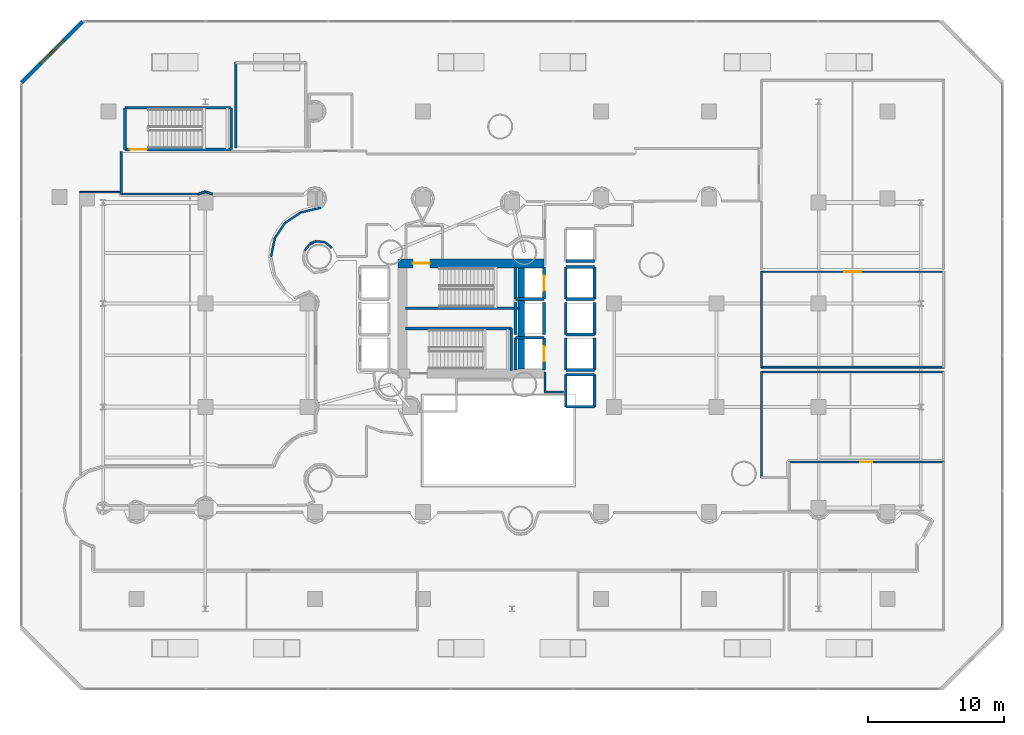
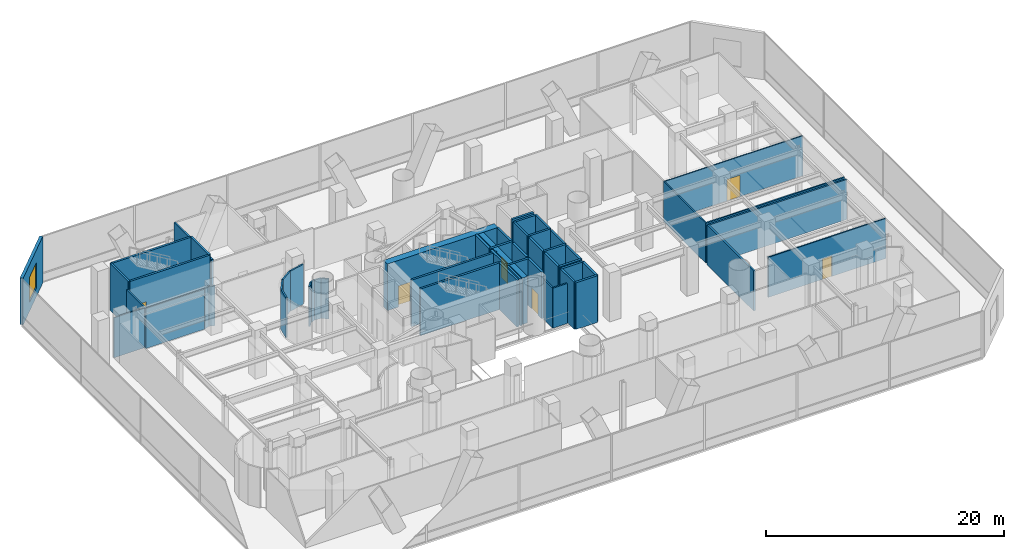
# One storey, part 33 of 42: 55 walls, 6 doors, 1 window, 7 openings.
"""IFC4 building model written with IfcOpenShell, lengths in metres."""

from ifc_helpers import new_model, si_unit, direction, frame, frame_2d, origin, place, context, subcontext, project, spatial, rectangle, extrude, material, layer, layer_set, type_object, element, fill, save


model = new_model("IFC4")

# Units and contexts
model_context = context("Model", 3, precision=1e-05, world=origin(), true_north=direction((0.0, 1.0)))
body_context = subcontext(model_context, "Body", "Model", "MODEL_VIEW")
ifc_project = project(units=[si_unit("LENGTHUNIT", "METRE"), si_unit("AREAUNIT", "SQUARE_METRE"), si_unit("VOLUMEUNIT", "CUBIC_METRE"), si_unit("PLANEANGLEUNIT", "RADIAN"), si_unit("MASSUNIT", "GRAM", prefix="KILO")], contexts=[model_context])

# Site, building, storey
site_placement = place(None, origin())
site = spatial("IfcSite", under=ifc_project, at=site_placement, CompositionType="ELEMENT")
building_placement = place(site_placement, origin())
building = spatial("IfcBuilding", under=site, at=building_placement, Name="Qianvela Tower", CompositionType="ELEMENT")
storey_placement = place(building_placement, frame((0.0, 0.0, 6.0)))
storey = spatial("IfcBuildingStorey", under=building, at=storey_placement, Name="L01", CompositionType="ELEMENT", Elevation=6.0)

# Wall, opening, window
ifc_material_1 = material(Name="Terracotta Cladding on Concrete C40", Category="masonry")
ifc_layer_1 = layer(ifc_material_1, 0.280029296875)
ifc_layer_set_1 = layer_set([ifc_layer_1], Name="Terracotta Cladding on Concrete C40")
wall_type_1 = type_object("IfcWallType", Name="TERRACOTTA-WALL-280", PredefinedType="SOLIDWALL", material=ifc_layer_set_1)
wall_1_placement = place(storey_placement, frame((6.0, 50.5, 0.0), z_axis=(0.0, 0.0, 1.0), x_axis=(-0.707106781187, -0.707106781187, 0.0)))
wall_1 = element("IfcWall", 1, at=wall_1_placement, inside=storey, type_object=wall_type_1, Name="L01 Terracotta Corner Wall 6", PredefinedType="SOLIDWALL", context=body_context, shape_type="SweptSolid", body=[
    extrude(rectangle(XDim=6.364013671875, YDim=0.280029296875, at=frame_2d((3.18212890625, 0.0))), origin(), (0.0, 0.0, 1.0), 4.780029296875),
])
opening_1_placement = place(wall_1_placement, frame((1.98193359375, 0.0, 0.89990234375)))
opening_1 = element("IfcOpeningElement", 2, at=opening_1_placement, cuts=wall_1, Name="Opening W-05", PredefinedType="OPENING", context=body_context, shape_type="SweptSolid", body=[
    extrude(rectangle(XDim=2.39990234375, YDim=2.60009765625, at=frame_2d((1.199951171875, 1.300048828125))), frame((0.0, 0.14990234375, 0.0), z_axis=(0.0, -1.0, 0.0), x_axis=(1.0, 0.0, 0.0)), (0.0, 0.0, 1.0), 0.300048828125),
])
ifc_material_2 = material(Name="Thermally Broken Aluminium and Low-E Glass", Category="aluminium")
window_type = type_object("IfcWindowType", Name="WIN-POD-2400x2600", PartitioningType="TRIPLE_PANEL_VERTICAL", PredefinedType="WINDOW", material=ifc_material_2)
window_placement = place(opening_1_placement, origin())
window = element("IfcWindow", 3, at=window_placement, inside=storey, type_object=window_type, Name="L01 Chamfer Facet Window 6.1", OverallHeight=2.60009765625, OverallWidth=2.39990234375, PartitioningType="SINGLE_PANEL", PredefinedType="WINDOW", context=body_context, shape_type="SweptSolid", body=[
    extrude(rectangle(XDim=2.39990234375, YDim=2.60009765625, at=frame_2d((1.199951171875, 1.300048828125))), frame((0.0, 0.030029296875, 0.0), z_axis=(0.0, -1.0, 0.0), x_axis=(1.0, 0.0, 0.0)), (0.0, 0.0, 1.0), 0.06005859375),
])
fill(opening_1, window)

# Wall, opening, door
ifc_material_3 = material(Name="Concrete C60", Category="concrete")
ifc_layer_2 = layer(ifc_material_3, 0.64990234375)
ifc_layer_set_2 = layer_set([ifc_layer_2], Name="Concrete C60")
wall_type_2 = type_object("IfcWallType", Name="WT-CORE-650", PredefinedType="SHEAR", material=ifc_layer_set_2)
wall_2_placement = place(storey_placement, frame((29.1298828125, 32.7451171875, 0.0), z_axis=(0.0, 0.0, 1.0), x_axis=(1.0, 0.0, 0.0)))
wall_2 = element("IfcWall", 4, at=wall_2_placement, inside=storey, type_object=wall_type_2, Name="L01 North Core Shear Wall", PredefinedType="SHEAR", context=body_context, shape_type="SweptSolid", body=[
    extrude(rectangle(XDim=10.72021484375, YDim=0.64990234375, at=frame_2d((5.360107421875, 0.0))), origin(), (0.0, 0.0, 1.0), 4.780029296875),
])
opening_2_placement = place(wall_2_placement, frame((1.094970703125, 0.0, 0.0)))
opening_2 = element("IfcOpeningElement", 5, at=opening_2_placement, cuts=wall_2, Name="Opening D-ST1", PredefinedType="OPENING", context=body_context, shape_type="SweptSolid", body=[
    extrude(rectangle(XDim=1.25, YDim=2.14990234375, at=frame_2d((0.625, 1.074951171875))), frame((0.0, 0.3349609375, 0.0), z_axis=(0.0, -1.0, 0.0), x_axis=(1.0, 0.0, 0.0)), (0.0, 0.0, 1.0), 0.669921875),
])
ifc_material_4 = material(Name="Galvanised Fire Steel Q355B", Category="steel")
door_type_1 = type_object("IfcDoorType", Name="DT-STAIR-FD90", OperationType="NOTDEFINED", PredefinedType="DOOR", material=ifc_material_4)
door_1_placement = place(opening_2_placement, origin())
door_1 = element("IfcDoor", 6, at=door_1_placement, inside=storey, type_object=door_type_1, Name="L01 Stair ST-1 Exit Door", OperationType="SINGLE_SWING_RIGHT", OverallHeight=2.14990234375, OverallWidth=1.25, PredefinedType="DOOR", context=body_context, shape_type="SweptSolid", body=[
    extrude(rectangle(XDim=1.25, YDim=2.14990234375, at=frame_2d((0.625, 1.074951171875))), frame((0.0, 0.02490234375, 0.0), z_axis=(0.0, -1.0, 0.0), x_axis=(1.0, 0.0, 0.0)), (0.0, 0.0, 1.0), 0.050048828125),
])
fill(opening_2, door_1)

# Walls
wall_3_placement = place(storey_placement, frame((38.179931640625, 24.97998046875, 0.0), z_axis=(0.0, 0.0, 1.0), x_axis=(0.0, 1.0, 0.0)))
element("IfcWall", 7, at=wall_3_placement, inside=storey, type_object=wall_type_2, Name="L01 East Spine Core Shear Wall", PredefinedType="SHEAR", context=body_context, shape_type="SweptSolid", body=[
    extrude(rectangle(XDim=7.43994140625, YDim=0.5, at=frame_2d((3.719970703125, 0.0))), origin(), (0.0, 0.0, 1.0), 4.780029296875),
])
ifc_material_5 = material(Name="Fire-Rated Acoustic Gypsum Board")
ifc_layer_3 = layer(ifc_material_5, 0.14990234375)
ifc_layer_set_3 = layer_set([ifc_layer_3], Name="Fire-Rated Acoustic Gypsum Board")
wall_type_3 = type_object("IfcWallType", Name="WT-CORR-150", PredefinedType="PARTITIONING", material=ifc_layer_set_3)
wall_4_placement = place(storey_placement, frame((41.280029296875, 23.31103515625, 0.0), z_axis=(0.0, 0.0, 1.0), x_axis=(-1.0, 0.0, 0.0)))
element("IfcWall", 8, at=wall_4_placement, inside=storey, type_object=wall_type_3, Name="L01 Partition 22", PredefinedType="PARTITIONING", context=body_context, shape_type="SweptSolid", body=[
    extrude(rectangle(XDim=1.400146484375, YDim=0.14990234375, at=frame_2d((0.7001953125, 0.0))), origin(), (0.0, 0.0, 1.0), 4.10009765625),
])
wall_5_placement = place(storey_placement, frame((39.910888671875, 23.27978515625, 0.0), z_axis=(0.0, 0.0, 1.0), x_axis=(0.009397771291, 0.999955839972, 0.0)))
element("IfcWall", 9, at=wall_5_placement, inside=storey, type_object=wall_type_3, Name="L01 Partition 23", PredefinedType="PARTITIONING", context=body_context, shape_type="SweptSolid", body=[
    extrude(rectangle(XDim=1.480712890625, YDim=0.14990234375, at=frame_2d((0.740234375, 0.0))), origin(), (0.0, 0.0, 1.0), 4.10009765625),
])
wall_6_placement = place(storey_placement, frame((19.818359375, 33.221923828125, 0.0), z_axis=(0.0, 0.0, 1.0), x_axis=(0.195099252282, 0.980783504021, 0.0)))
element("IfcWall", 10, at=wall_6_placement, inside=storey, type_object=wall_type_3, Name="L01 Partition 102", PredefinedType="PARTITIONING", context=body_context, shape_type="SweptSolid", body=[
    extrude(rectangle(XDim=1.38525390625, YDim=0.14990234375, at=frame_2d((0.692626953125, 0.0))), origin(), (0.0, 0.0, 1.0), 4.10009765625),
])
for number, where, z_axis, x_axis, name in (
    (11, (20.083984375, 34.5693359375, 0.0), (0.0, 0.0, 1.0), (0.555594771308, 0.831453215819, 0.0), "L01 Partition 103"),
    (12, (20.844970703125, 35.71240234375, 0.0), (0.0, 0.0, 1.0), (0.831453215819, 0.555594771308, 0.0), "L01 Partition 104"),
):
    element("IfcWall", number, at=place(storey_placement, frame(where, z_axis=z_axis, x_axis=x_axis)), inside=storey, type_object=wall_type_3, Name=name, PredefinedType="PARTITIONING", context=body_context, shape_type="SweptSolid", body=[
        extrude(rectangle(XDim=1.385009765625, YDim=0.14990234375, at=frame_2d((0.6923828125, 0.0))), origin(), (0.0, 0.0, 1.0), 4.10009765625),
    ])
wall_7_placement = place(storey_placement, frame((21.986572265625, 36.4775390625, 0.0), z_axis=(0.0, 0.0, 1.0), x_axis=(0.973304329118, 0.229518371641, 0.0)))
element("IfcWall", 13, at=wall_7_placement, inside=storey, type_object=wall_type_3, Name="L01 Partition 105", PredefinedType="PARTITIONING", context=body_context, shape_type="SweptSolid", body=[
    extrude(rectangle(XDim=1.533935546875, YDim=0.14990234375, at=frame_2d((0.76708984375, 0.0))), origin(), (0.0, 0.0, 1.0), 4.10009765625),
])
for number, where, z_axis, x_axis, name in (
    (14, (15.512939453125, 37.829345703125, 0.0), (0.0, 0.0, 1.0), (-0.947248188963, 0.320500964906, 0.0), "L01 Partition 111"),
    (15, (14.989990234375, 37.99951171875, 0.0), (0.0, 0.0, 1.0), (-0.947248188963, -0.320500964906, 0.0), "L01 Partition 112"),
):
    element("IfcWall", number, at=place(storey_placement, frame(where, z_axis=z_axis, x_axis=x_axis)), inside=storey, type_object=wall_type_3, Name=name, PredefinedType="PARTITIONING", context=body_context, shape_type="SweptSolid", body=[
        extrude(rectangle(XDim=0.531005859375, YDim=0.14990234375, at=frame_2d((0.265625, 0.0))), origin(), (0.0, 0.0, 1.0), 4.10009765625),
    ])
wall_8_placement = place(storey_placement, frame((14.496826171875, 37.8310546875, 0.0), z_axis=(0.0, 0.0, 1.0), x_axis=(-1.0, 0.0, 0.0)))
element("IfcWall", 16, at=wall_8_placement, inside=storey, type_object=wall_type_3, Name="L01 Partition 113", PredefinedType="PARTITIONING", context=body_context, shape_type="SweptSolid", body=[
    extrude(rectangle(XDim=5.69677734375, YDim=0.14990234375, at=frame_2d((2.848388671875, 0.0))), origin(), (0.0, 0.0, 1.0), 4.10009765625),
])
wall_9_placement = place(storey_placement, frame((8.8310546875, 37.800048828125, 0.0), z_axis=(0.0, 0.0, 1.0), x_axis=(0.0, 1.0, 0.0)))
element("IfcWall", 17, at=wall_9_placement, inside=storey, type_object=wall_type_3, Name="L01 Partition 114", PredefinedType="PARTITIONING", context=body_context, shape_type="SweptSolid", body=[
    extrude(rectangle(XDim=3.159912109375, YDim=0.14990234375, at=frame_2d((1.580078125, 0.0))), origin(), (0.0, 0.0, 1.0), 4.10009765625),
])
wall_10_placement = place(storey_placement, frame((24.288818359375, 33.874267578125, 0.0), z_axis=(0.0, 0.0, 1.0), x_axis=(-0.773002523958, 0.634402946048, 0.0)))
element("IfcWall", 18, at=wall_10_placement, inside=storey, type_object=wall_type_3, Name="L01 Partition 158", PredefinedType="PARTITIONING", context=body_context, shape_type="SweptSolid", body=[
    extrude(rectangle(XDim=0.64990234375, YDim=0.14990234375, at=frame_2d((0.324951171875, 0.0))), origin(), (0.0, 0.0, 1.0), 4.10009765625),
])
wall_11_placement = place(storey_placement, frame((23.76953125, 34.293701171875, 0.0), z_axis=(0.0, 0.0, 1.0), x_axis=(-0.995184807955, 0.098016315048, 0.0)))
element("IfcWall", 19, at=wall_11_placement, inside=storey, type_object=wall_type_3, Name="L01 Partition 159", PredefinedType="PARTITIONING", context=body_context, shape_type="SweptSolid", body=[
    extrude(rectangle(XDim=0.650146484375, YDim=0.14990234375, at=frame_2d((0.3251953125, 0.0))), origin(), (0.0, 0.0, 1.0), 4.10009765625),
])
wall_12_placement = place(storey_placement, frame((23.107666015625, 34.35498046875, 0.0), z_axis=(0.0, 0.0, 1.0), x_axis=(-0.924098490076, -0.382154393719, 0.0)))
element("IfcWall", 20, at=wall_12_placement, inside=storey, type_object=wall_type_3, Name="L01 Partition 160", PredefinedType="PARTITIONING", context=body_context, shape_type="SweptSolid", body=[
    extrude(rectangle(XDim=0.43701171875, YDim=0.14990234375, at=frame_2d((0.218505859375, 0.0))), origin(), (0.0, 0.0, 1.0), 4.10009765625),
])
wall_13_placement = place(storey_placement, frame((22.69189453125, 34.178955078125, 0.0), z_axis=(0.0, 0.0, 1.0), x_axis=(-0.634443165816, -0.772969513855, 0.0)))
element("IfcWall", 21, at=wall_13_placement, inside=storey, type_object=wall_type_3, Name="L01 Partition 161", PredefinedType="PARTITIONING", context=body_context, shape_type="SweptSolid", body=[
    extrude(rectangle(XDim=0.650390625, YDim=0.14990234375, at=frame_2d((0.3251953125, 0.0))), origin(), (0.0, 0.0, 1.0), 4.10009765625),
])

# Wall, opening, door
ifc_material_6 = material(Name="Lightweight Gypsum Room Partition")
ifc_layer_4 = layer(ifc_material_6, 0.10498046875)
ifc_layer_set_4 = layer_set([ifc_layer_4], Name="Lightweight Gypsum Room Partition")
wall_type_4 = type_object("IfcWallType", Name="WT-PART-105", PredefinedType="PARTITIONING", material=ifc_layer_set_4)
wall_14_placement = place(storey_placement, frame((55.780029296875, 32.12890625, 0.0), z_axis=(0.0, 0.0, 1.0), x_axis=(1.0, 0.0, 0.0)))
wall_14 = element("IfcWall", 22, at=wall_14_placement, inside=storey, type_object=wall_type_4, Name="L01 Partition 252", PredefinedType="PARTITIONING", context=body_context, shape_type="SweptSolid", body=[
    extrude(rectangle(XDim=13.419921875, YDim=0.10498046875, at=frame_2d((6.7099609375, 0.0))), origin(), (0.0, 0.0, 1.0), 4.10009765625),
])
opening_3_placement = place(wall_14_placement, frame((6.0849609375, 0.0, 0.0)))
opening_3 = element("IfcOpeningElement", 23, at=opening_3_placement, cuts=wall_14, Name="Opening D-LG1", PredefinedType="OPENING", context=body_context, shape_type="SweptSolid", body=[
    extrude(rectangle(XDim=1.25, YDim=2.199951171875, at=frame_2d((0.625, 1.10009765625))), frame((0.0, 0.0625, 0.0), z_axis=(0.0, -1.0, 0.0), x_axis=(1.0, 0.0, 0.0)), (0.0, 0.0, 1.0), 0.125),
])
ifc_material_7 = material(Name="Anodised Aluminium Acoustic Glass Door", Category="aluminium")
door_type_2 = type_object("IfcDoorType", Name="DT-LOUNGE-1250", OperationType="NOTDEFINED", PredefinedType="DOOR", material=ifc_material_7)
door_2_placement = place(opening_3_placement, origin())
door_2 = element("IfcDoor", 24, at=door_2_placement, inside=storey, type_object=door_type_2, Name="L01 Door L01 Commons Seminar Room East to L01 Academic Advising Office East", OperationType="SINGLE_SWING_RIGHT", OverallHeight=2.199951171875, OverallWidth=1.25, PredefinedType="DOOR", context=body_context, shape_type="SweptSolid", body=[
    extrude(rectangle(XDim=1.25, YDim=2.199951171875, at=frame_2d((0.625, 1.10009765625))), frame((0.0, 0.02490234375, 0.0), z_axis=(0.0, -1.0, 0.0), x_axis=(1.0, 0.0, 0.0)), (0.0, 0.0, 1.0), 0.050048828125),
])
fill(opening_3, door_2)

# Wall
wall_15_placement = place(storey_placement, frame((5.800048828125, 37.968994140625, 0.0), z_axis=(0.0, 0.0, 1.0), x_axis=(1.0, 0.0, 0.0)))
element("IfcWall", 25, at=wall_15_placement, inside=storey, type_object=wall_type_4, Name="L01 Partition 279 seg 1", PredefinedType="PARTITIONING", context=body_context, shape_type="SweptSolid", body=[
    extrude(rectangle(XDim=2.93798828125, YDim=0.10498046875, at=frame_2d((1.468994140625, 0.0))), origin(), (0.0, 0.0, 1.0), 4.10009765625),
])

# Wall, opening, door
ifc_material_8 = material(Name="Insulated Gypsum Stud Partition")
ifc_layer_5 = layer(ifc_material_8, 0.1201171875)
ifc_layer_set_5 = layer_set([ifc_layer_5], Name="Insulated Gypsum Stud Partition")
wall_type_5 = type_object("IfcWallType", Name="WT-PART-120", PredefinedType="PARTITIONING", material=ifc_layer_set_5)
wall_16_placement = place(storey_placement, frame((57.800048828125, 18.1689453125, 0.0), z_axis=(0.0, 0.0, 1.0), x_axis=(1.0, 0.0, 0.0)))
wall_16 = element("IfcWall", 26, at=wall_16_placement, inside=storey, type_object=wall_type_5, Name="L01 Partition 242", PredefinedType="PARTITIONING", context=body_context, shape_type="SweptSolid", body=[
    extrude(rectangle(XDim=11.39990234375, YDim=0.1201171875, at=frame_2d((5.699951171875, 0.0))), origin(), (0.0, 0.0, 1.0), 4.10009765625),
])
opening_4_placement = place(wall_16_placement, frame((5.25, 0.0, 0.0)))
opening_4 = element("IfcOpeningElement", 27, at=opening_4_placement, cuts=wall_16, Name="Opening D-KT1", PredefinedType="OPENING", context=body_context, shape_type="SweptSolid", body=[
    extrude(rectangle(XDim=0.89990234375, YDim=2.10009765625, at=frame_2d((0.449951171875, 1.050048828125))), frame((0.0, 0.070068359375, 0.0), z_axis=(0.0, -1.0, 0.0), x_axis=(1.0, 0.0, 0.0)), (0.0, 0.0, 1.0), 0.14013671875),
])
ifc_material_9 = material(Name="Glazed Timber Kitchen Door", Category="wood")
door_type_3 = type_object("IfcDoorType", Name="DT-KITCH-900", OperationType="NOTDEFINED", PredefinedType="DOOR", material=ifc_material_9)
door_3_placement = place(opening_4_placement, origin())
door_3 = element("IfcDoor", 28, at=door_3_placement, inside=storey, type_object=door_type_3, Name="L01 Door L01 Central Production Kitchen to L01 Quiet Reading Study Lounge", OperationType="SINGLE_SWING_LEFT", OverallHeight=2.10009765625, OverallWidth=0.89990234375, PredefinedType="DOOR", context=body_context, shape_type="SweptSolid", body=[
    extrude(rectangle(XDim=0.89990234375, YDim=2.10009765625, at=frame_2d((0.449951171875, 1.050048828125))), frame((0.0, 0.02490234375, 0.0), z_axis=(0.0, -1.0, 0.0), x_axis=(1.0, 0.0, 0.0)), (0.0, 0.0, 1.0), 0.050048828125),
])
fill(opening_4, door_3)

# Walls
wall_17_placement = place(storey_placement, frame((55.81103515625, 25.10009765625, 0.0), z_axis=(0.0, 0.0, 1.0), x_axis=(0.0, 1.0, 0.0)))
element("IfcWall", 29, at=wall_17_placement, inside=storey, type_object=wall_type_5, Name="L01 Partition 251", PredefinedType="PARTITIONING", context=body_context, shape_type="SweptSolid", body=[
    extrude(rectangle(XDim=7.059814453125, YDim=0.1201171875, at=frame_2d((3.52978515625, 0.0))), origin(), (0.0, 0.0, 1.0), 4.10009765625),
])
ifc_material_10 = material(Name="Sanitary Service Chase Partition")
ifc_layer_6 = layer(ifc_material_10, 0.1650390625)
ifc_layer_set_6 = layer_set([ifc_layer_6], Name="Sanitary Service Chase Partition")
wall_type_6 = type_object("IfcWallType", Name="WT-PLUMB-165", PredefinedType="PLUMBINGWALL", material=ifc_layer_set_6)
wall_18_placement = place(storey_placement, frame((55.81103515625, 17.0, 0.0), z_axis=(0.0, 0.0, 1.0), x_axis=(0.0, 1.0, 0.0)))
element("IfcWall", 30, at=wall_18_placement, inside=storey, type_object=wall_type_6, Name="L01 Partition 247", PredefinedType="PLUMBINGWALL", context=body_context, shape_type="SweptSolid", body=[
    extrude(rectangle(XDim=7.800048828125, YDim=0.1650390625, at=frame_2d((3.89990234375, 0.0))), origin(), (0.0, 0.0, 1.0), 4.10009765625),
])
wall_19_placement = place(storey_placement, frame((55.780029296875, 24.76904296875, 0.0), z_axis=(0.0, 0.0, 1.0), x_axis=(1.0, 0.0, 0.0)))
element("IfcWall", 31, at=wall_19_placement, inside=storey, type_object=wall_type_6, Name="L01 Partition 248", PredefinedType="PLUMBINGWALL", context=body_context, shape_type="SweptSolid", body=[
    extrude(rectangle(XDim=13.419921875, YDim=0.1650390625, at=frame_2d((6.7099609375, 0.0))), origin(), (0.0, 0.0, 1.0), 4.10009765625),
])
wall_20_placement = place(storey_placement, frame((17.23095703125, 41.199951171875, 0.0), z_axis=(0.0, 0.0, 1.0), x_axis=(0.0, 1.0, 0.0)))
element("IfcWall", 32, at=wall_20_placement, inside=storey, type_object=wall_type_6, Name="L01 Partition 286", PredefinedType="PLUMBINGWALL", context=body_context, shape_type="SweptSolid", body=[
    extrude(rectangle(XDim=6.300048828125, YDim=0.1650390625, at=frame_2d((3.14990234375, 0.0))), origin(), (0.0, 0.0, 1.0), 4.10009765625),
])
ifc_material_11 = material(Name="Acoustic Double Gypsum Stud Partition")
ifc_layer_7 = layer(ifc_material_11, 0.139892578125)
ifc_layer_set_7 = layer_set([ifc_layer_7], Name="Acoustic Double Gypsum Stud Partition")
wall_type_7 = type_object("IfcWallType", Name="WT-ROOM-140", PredefinedType="PARTITIONING", material=ifc_layer_set_7)
wall_21_placement = place(storey_placement, frame((69.199951171875, 25.131103515625, 0.0), z_axis=(0.0, 0.0, 1.0), x_axis=(-1.0, 0.0, 0.0)))
element("IfcWall", 33, at=wall_21_placement, inside=storey, type_object=wall_type_7, Name="L01 Partition 250", PredefinedType="PARTITIONING", context=body_context, shape_type="SweptSolid", body=[
    extrude(rectangle(XDim=13.419921875, YDim=0.139892578125, at=frame_2d((6.7099609375, 0.0))), origin(), (0.0, 0.0, 1.0), 4.10009765625),
])
ifc_material_12 = material(Name="Concrete C50", Category="concrete")
ifc_layer_8 = layer(ifc_material_12, 0.199951171875)
ifc_layer_set_8 = layer_set([ifc_layer_8], Name="Concrete C50")
wall_type_8 = type_object("IfcWallType", Name="WT-SHAFT-200", PredefinedType="SOLIDWALL", material=ifc_layer_set_8)
wall_22_placement = place(storey_placement, frame((29.699951171875, 29.449951171875, 0.0), z_axis=(0.0, 0.0, 1.0), x_axis=(1.0, 0.0, 0.0)))
element("IfcWall", 34, at=wall_22_placement, inside=storey, type_object=wall_type_8, Name="L01 Stair ST-1 South Wall", PredefinedType="SOLIDWALL", context=body_context, shape_type="SweptSolid", body=[
    extrude(rectangle(XDim=8.300048828125, YDim=0.199951171875, at=frame_2d((4.14990234375, 0.0))), origin(), (0.0, 0.0, 1.0), 4.780029296875),
])
wall_23_placement = place(storey_placement, frame((29.699951171875, 27.9599609375, 0.0), z_axis=(0.0, 0.0, 1.0), x_axis=(1.0, 0.0, 0.0)))
element("IfcWall", 35, at=wall_23_placement, inside=storey, type_object=wall_type_8, Name="L01 Stair ST-2 North Wall", PredefinedType="SOLIDWALL", context=body_context, shape_type="SweptSolid", body=[
    extrude(rectangle(XDim=7.75, YDim=0.199951171875, at=frame_2d((3.875, 0.0))), origin(), (0.0, 0.0, 1.0), 4.780029296875),
])
wall_24_placement = place(storey_placement, frame((37.449951171875, 24.89990234375, 0.0), z_axis=(0.0, 0.0, 1.0), x_axis=(0.0, 1.0, 0.0)))
element("IfcWall", 36, at=wall_24_placement, inside=storey, type_object=wall_type_8, Name="L01 Stair ST-2 East Wall", PredefinedType="SOLIDWALL", context=body_context, shape_type="SweptSolid", body=[
    extrude(rectangle(XDim=3.06005859375, YDim=0.199951171875, at=frame_2d((1.530029296875, 0.0))), origin(), (0.0, 0.0, 1.0), 4.780029296875),
])

# Wall, opening, door
wall_25_placement = place(storey_placement, frame((9.10009765625, 41.10009765625, 0.0), z_axis=(0.0, 0.0, 1.0), x_axis=(1.0, 0.0, 0.0)))
wall_25 = element("IfcWall", 37, at=wall_25_placement, inside=storey, type_object=wall_type_8, Name="L01 Stair ST-3 South Wall", PredefinedType="SOLIDWALL", context=body_context, shape_type="SweptSolid", body=[
    extrude(rectangle(XDim=7.7998046875, YDim=0.199951171875, at=frame_2d((3.89990234375, 0.0))), origin(), (0.0, 0.0, 1.0), 4.780029296875),
])
opening_5_placement = place(wall_25_placement, frame((0.360107421875, 0.0, 0.0)))
opening_5 = element("IfcOpeningElement", 38, at=opening_5_placement, cuts=wall_25, Name="Opening D-ST1", PredefinedType="OPENING", context=body_context, shape_type="SweptSolid", body=[
    extrude(rectangle(XDim=1.25, YDim=2.14990234375, at=frame_2d((0.625, 1.074951171875))), frame((0.0, 0.10986328125, 0.0), z_axis=(0.0, -1.0, 0.0), x_axis=(1.0, 0.0, 0.0)), (0.0, 0.0, 1.0), 0.219970703125),
])
door_4_placement = place(opening_5_placement, origin())
door_4 = element("IfcDoor", 39, at=door_4_placement, inside=storey, type_object=door_type_1, Name="L01 Stair ST-3 Exit Door", OperationType="SINGLE_SWING_RIGHT", OverallHeight=2.14990234375, OverallWidth=1.25, PredefinedType="DOOR", context=body_context, shape_type="SweptSolid", body=[
    extrude(rectangle(XDim=1.25, YDim=2.14990234375, at=frame_2d((0.625, 1.074951171875))), frame((0.0, 0.02490234375, 0.0), z_axis=(0.0, -1.0, 0.0), x_axis=(1.0, 0.0, 0.0)), (0.0, 0.0, 1.0), 0.050048828125),
])
fill(opening_5, door_4)

# Walls
wall_26_placement = place(storey_placement, frame((9.10009765625, 44.159912109375, 0.0), z_axis=(0.0, 0.0, 1.0), x_axis=(1.0, 0.0, 0.0)))
element("IfcWall", 40, at=wall_26_placement, inside=storey, type_object=wall_type_8, Name="L01 Stair ST-3 North Wall", PredefinedType="SOLIDWALL", context=body_context, shape_type="SweptSolid", body=[
    extrude(rectangle(XDim=7.7998046875, YDim=0.199951171875, at=frame_2d((3.89990234375, 0.0))), origin(), (0.0, 0.0, 1.0), 4.780029296875),
])
for number, where, z_axis, x_axis, name in (
    (41, (9.10009765625, 41.10009765625, 0.0), (0.0, 0.0, 1.0), (0.0, 1.0, 0.0), "L01 Stair ST-3 West Wall"),
    (42, (16.89990234375, 41.10009765625, 0.0), (0.0, 0.0, 1.0), (0.0, 1.0, 0.0), "L01 Stair ST-3 East Wall"),
):
    element("IfcWall", number, at=place(storey_placement, frame(where, z_axis=z_axis, x_axis=x_axis)), inside=storey, type_object=wall_type_8, Name=name, PredefinedType="SOLIDWALL", context=body_context, shape_type="SweptSolid", body=[
        extrude(rectangle(XDim=3.059814453125, YDim=0.199951171875, at=frame_2d((1.52978515625, 0.0))), origin(), (0.0, 0.0, 1.0), 4.780029296875),
    ])

# Wall, opening, door
wall_27_placement = place(storey_placement, frame((39.85009765625, 30.1201171875, 0.0), z_axis=(0.0, 0.0, 1.0), x_axis=(0.0, 1.0, 0.0)))
wall_27 = element("IfcWall", 43, at=wall_27_placement, inside=storey, type_object=wall_type_8, Name="L01 Lift FL-1 E Shaft Wall", PredefinedType="SOLIDWALL", context=body_context, shape_type="SweptSolid", body=[
    extrude(rectangle(XDim=2.35986328125, YDim=0.199951171875, at=frame_2d((1.179931640625, 0.0))), origin(), (0.0, 0.0, 1.0), 4.780029296875),
])
opening_6_placement = place(wall_27_placement, frame((0.6298828125, 0.0, 0.0)))
opening_6 = element("IfcOpeningElement", 44, at=opening_6_placement, cuts=wall_27, Name="Opening LD-01", PredefinedType="OPENING", context=body_context, shape_type="SweptSolid", body=[
    extrude(rectangle(XDim=1.10009765625, YDim=2.14990234375, at=frame_2d((0.550048828125, 1.074951171875))), frame((0.0, 0.10986328125, 0.0), z_axis=(0.0, -1.0, 0.0), x_axis=(1.0, 0.0, 0.0)), (0.0, 0.0, 1.0), 0.219970703125),
])
ifc_material_13 = material(Name="Brushed Stainless Steel Lift Landing Door", Category="steel")
door_type_4 = type_object("IfcDoorType", Name="DT-LIFT-SLIDE-1100", OperationType="SLIDING_TO_LEFT", PredefinedType="DOOR", material=ifc_material_13)
door_5_placement = place(opening_6_placement, origin())
door_5 = element("IfcDoor", 45, at=door_5_placement, inside=storey, type_object=door_type_4, Name="L01 Lift FL-1 Sliding Landing Door", OperationType="SLIDING_TO_LEFT", OverallHeight=2.14990234375, OverallWidth=1.10009765625, PredefinedType="DOOR", context=body_context, shape_type="SweptSolid", body=[
    extrude(rectangle(XDim=1.10009765625, YDim=2.14990234375, at=frame_2d((0.550048828125, 1.074951171875))), frame((0.0, 0.02490234375, 0.0), z_axis=(0.0, -1.0, 0.0), x_axis=(1.0, 0.0, 0.0)), (0.0, 0.0, 1.0), 0.050048828125),
])
fill(opening_6, door_5)

# Walls
wall_28_placement = place(storey_placement, frame((37.75, 30.1201171875, 0.0), z_axis=(0.0, 0.0, 1.0), x_axis=(0.0, 1.0, 0.0)))
element("IfcWall", 46, at=wall_28_placement, inside=storey, type_object=wall_type_8, Name="L01 Lift FL-1 W Shaft Wall", PredefinedType="SOLIDWALL", context=body_context, shape_type="SweptSolid", body=[
    extrude(rectangle(XDim=2.35986328125, YDim=0.199951171875, at=frame_2d((1.179931640625, 0.0))), origin(), (0.0, 0.0, 1.0), 4.780029296875),
])
wall_29_placement = place(storey_placement, frame((37.75, 30.1201171875, 0.0), z_axis=(0.0, 0.0, 1.0), x_axis=(1.0, 0.0, 0.0)))
element("IfcWall", 47, at=wall_29_placement, inside=storey, type_object=wall_type_8, Name="L01 Lift FL-1 S Shaft Wall", PredefinedType="SOLIDWALL", context=body_context, shape_type="SweptSolid", body=[
    extrude(rectangle(XDim=2.10009765625, YDim=0.199951171875, at=frame_2d((1.050048828125, 0.0))), origin(), (0.0, 0.0, 1.0), 4.780029296875),
])

# Wall, opening, door
wall_30_placement = place(storey_placement, frame((39.85009765625, 24.919921875, 0.0), z_axis=(0.0, 0.0, 1.0), x_axis=(0.0, 1.0, 0.0)))
wall_30 = element("IfcWall", 48, at=wall_30_placement, inside=storey, type_object=wall_type_8, Name="L01 Lift FL-2 E Shaft Wall", PredefinedType="SOLIDWALL", context=body_context, shape_type="SweptSolid", body=[
    extrude(rectangle(XDim=2.360107421875, YDim=0.199951171875, at=frame_2d((1.18017578125, 0.0))), origin(), (0.0, 0.0, 1.0), 4.780029296875),
])
opening_7_placement = place(wall_30_placement, frame((0.6298828125, 0.0, 0.0)))
opening_7 = element("IfcOpeningElement", 49, at=opening_7_placement, cuts=wall_30, Name="Opening LD-01", PredefinedType="OPENING", context=body_context, shape_type="SweptSolid", body=[
    extrude(rectangle(XDim=1.10009765625, YDim=2.14990234375, at=frame_2d((0.550048828125, 1.074951171875))), frame((0.0, 0.10986328125, 0.0), z_axis=(0.0, -1.0, 0.0), x_axis=(1.0, 0.0, 0.0)), (0.0, 0.0, 1.0), 0.219970703125),
])
door_6_placement = place(opening_7_placement, origin())
door_6 = element("IfcDoor", 50, at=door_6_placement, inside=storey, type_object=door_type_4, Name="L01 Lift FL-2 Sliding Landing Door", OperationType="SLIDING_TO_LEFT", OverallHeight=2.14990234375, OverallWidth=1.10009765625, PredefinedType="DOOR", context=body_context, shape_type="SweptSolid", body=[
    extrude(rectangle(XDim=1.10009765625, YDim=2.14990234375, at=frame_2d((0.550048828125, 1.074951171875))), frame((0.0, 0.02490234375, 0.0), z_axis=(0.0, -1.0, 0.0), x_axis=(1.0, 0.0, 0.0)), (0.0, 0.0, 1.0), 0.050048828125),
])
fill(opening_7, door_6)

# Walls
wall_31_placement = place(storey_placement, frame((37.75, 24.919921875, 0.0), z_axis=(0.0, 0.0, 1.0), x_axis=(0.0, 1.0, 0.0)))
element("IfcWall", 51, at=wall_31_placement, inside=storey, type_object=wall_type_8, Name="L01 Lift FL-2 W Shaft Wall", PredefinedType="SOLIDWALL", context=body_context, shape_type="SweptSolid", body=[
    extrude(rectangle(XDim=2.360107421875, YDim=0.199951171875, at=frame_2d((1.18017578125, 0.0))), origin(), (0.0, 0.0, 1.0), 4.780029296875),
])
wall_32_placement = place(storey_placement, frame((37.75, 27.280029296875, 0.0), z_axis=(0.0, 0.0, 1.0), x_axis=(1.0, 0.0, 0.0)))
element("IfcWall", 52, at=wall_32_placement, inside=storey, type_object=wall_type_8, Name="L01 Lift FL-2 N Shaft Wall", PredefinedType="SOLIDWALL", context=body_context, shape_type="SweptSolid", body=[
    extrude(rectangle(XDim=2.10009765625, YDim=0.199951171875, at=frame_2d((1.050048828125, 0.0))), origin(), (0.0, 0.0, 1.0), 4.780029296875),
])
for number, where, z_axis, x_axis, name in (
    (53, (43.550048828125, 30.1201171875, 0.0), (0.0, 0.0, 1.0), (0.0, 1.0, 0.0), "L01 Lift PL-M1 E Shaft Wall"),
    (54, (41.449951171875, 30.1201171875, 0.0), (0.0, 0.0, 1.0), (0.0, 1.0, 0.0), "L01 Lift PL-M1 W Shaft Wall"),
):
    element("IfcWall", number, at=place(storey_placement, frame(where, z_axis=z_axis, x_axis=x_axis)), inside=storey, type_object=wall_type_8, Name=name, PredefinedType="SOLIDWALL", context=body_context, shape_type="SweptSolid", body=[
        extrude(rectangle(XDim=2.35986328125, YDim=0.199951171875, at=frame_2d((1.179931640625, 0.0))), origin(), (0.0, 0.0, 1.0), 4.780029296875),
    ])
for number, where, z_axis, x_axis, name in (
    (55, (41.449951171875, 32.47998046875, 0.0), (0.0, 0.0, 1.0), (1.0, 0.0, 0.0), "L01 Lift PL-M1 N Shaft Wall"),
    (56, (41.449951171875, 30.1201171875, 0.0), (0.0, 0.0, 1.0), (1.0, 0.0, 0.0), "L01 Lift PL-M1 S Shaft Wall"),
):
    element("IfcWall", number, at=place(storey_placement, frame(where, z_axis=z_axis, x_axis=x_axis)), inside=storey, type_object=wall_type_8, Name=name, PredefinedType="SOLIDWALL", context=body_context, shape_type="SweptSolid", body=[
        extrude(rectangle(XDim=2.10009765625, YDim=0.199951171875, at=frame_2d((1.050048828125, 0.0))), origin(), (0.0, 0.0, 1.0), 4.780029296875),
    ])
for number, where, z_axis, x_axis, name in (
    (57, (43.550048828125, 27.52001953125, 0.0), (0.0, 0.0, 1.0), (0.0, 1.0, 0.0), "L01 Lift PL-M2 E Shaft Wall"),
    (58, (41.449951171875, 27.52001953125, 0.0), (0.0, 0.0, 1.0), (0.0, 1.0, 0.0), "L01 Lift PL-M2 W Shaft Wall"),
):
    element("IfcWall", number, at=place(storey_placement, frame(where, z_axis=z_axis, x_axis=x_axis)), inside=storey, type_object=wall_type_8, Name=name, PredefinedType="SOLIDWALL", context=body_context, shape_type="SweptSolid", body=[
        extrude(rectangle(XDim=2.35986328125, YDim=0.199951171875, at=frame_2d((1.179931640625, 0.0))), origin(), (0.0, 0.0, 1.0), 4.780029296875),
    ])
wall_33_placement = place(storey_placement, frame((41.449951171875, 27.52001953125, 0.0), z_axis=(0.0, 0.0, 1.0), x_axis=(1.0, 0.0, 0.0)))
element("IfcWall", 59, at=wall_33_placement, inside=storey, type_object=wall_type_8, Name="L01 Lift PL-M2 S Shaft Wall", PredefinedType="SOLIDWALL", context=body_context, shape_type="SweptSolid", body=[
    extrude(rectangle(XDim=2.10009765625, YDim=0.199951171875, at=frame_2d((1.050048828125, 0.0))), origin(), (0.0, 0.0, 1.0), 4.780029296875),
])
for number, where, z_axis, x_axis, name in (
    (60, (43.550048828125, 24.919921875, 0.0), (0.0, 0.0, 1.0), (0.0, 1.0, 0.0), "L01 Lift PL-M3 E Shaft Wall"),
    (61, (41.449951171875, 24.919921875, 0.0), (0.0, 0.0, 1.0), (0.0, 1.0, 0.0), "L01 Lift PL-M3 W Shaft Wall"),
):
    element("IfcWall", number, at=place(storey_placement, frame(where, z_axis=z_axis, x_axis=x_axis)), inside=storey, type_object=wall_type_8, Name=name, PredefinedType="SOLIDWALL", context=body_context, shape_type="SweptSolid", body=[
        extrude(rectangle(XDim=2.360107421875, YDim=0.199951171875, at=frame_2d((1.18017578125, 0.0))), origin(), (0.0, 0.0, 1.0), 4.780029296875),
    ])
wall_34_placement = place(storey_placement, frame((41.449951171875, 24.919921875, 0.0), z_axis=(0.0, 0.0, 1.0), x_axis=(1.0, 0.0, 0.0)))
element("IfcWall", 62, at=wall_34_placement, inside=storey, type_object=wall_type_8, Name="L01 Lift PL-M3 S Shaft Wall", PredefinedType="SOLIDWALL", context=body_context, shape_type="SweptSolid", body=[
    extrude(rectangle(XDim=2.10009765625, YDim=0.199951171875, at=frame_2d((1.050048828125, 0.0))), origin(), (0.0, 0.0, 1.0), 4.780029296875),
])
for number, where, z_axis, x_axis, name in (
    (63, (39.85009765625, 27.52001953125, 0.0), (0.0, 0.0, 1.0), (0.0, 1.0, 0.0), "L01 Lift PL-H1 E Shaft Wall"),
    (64, (37.75, 27.52001953125, 0.0), (0.0, 0.0, 1.0), (0.0, 1.0, 0.0), "L01 Lift PL-H1 W Shaft Wall"),
):
    element("IfcWall", number, at=place(storey_placement, frame(where, z_axis=z_axis, x_axis=x_axis)), inside=storey, type_object=wall_type_8, Name=name, PredefinedType="SOLIDWALL", context=body_context, shape_type="SweptSolid", body=[
        extrude(rectangle(XDim=2.35986328125, YDim=0.199951171875, at=frame_2d((1.179931640625, 0.0))), origin(), (0.0, 0.0, 1.0), 4.780029296875),
    ])
for number, where, z_axis, x_axis, name in (
    (65, (43.550048828125, 22.219970703125, 0.0), (0.0, 0.0, 1.0), (0.0, 1.0, 0.0), "L01 Lift PL-H2 E Shaft Wall"),
    (66, (41.449951171875, 22.219970703125, 0.0), (0.0, 0.0, 1.0), (0.0, 1.0, 0.0), "L01 Lift PL-H2 W Shaft Wall"),
):
    element("IfcWall", number, at=place(storey_placement, frame(where, z_axis=z_axis, x_axis=x_axis)), inside=storey, type_object=wall_type_8, Name=name, PredefinedType="SOLIDWALL", context=body_context, shape_type="SweptSolid", body=[
        extrude(rectangle(XDim=2.360107421875, YDim=0.199951171875, at=frame_2d((1.18017578125, 0.0))), origin(), (0.0, 0.0, 1.0), 4.780029296875),
    ])
for number, where, z_axis, x_axis, name in (
    (67, (41.449951171875, 24.580078125, 0.0), (0.0, 0.0, 1.0), (1.0, 0.0, 0.0), "L01 Lift PL-H2 N Shaft Wall"),
    (68, (41.449951171875, 22.219970703125, 0.0), (0.0, 0.0, 1.0), (1.0, 0.0, 0.0), "L01 Lift PL-H2 S Shaft Wall"),
    (69, (41.449951171875, 32.919921875, 0.0), (0.0, 0.0, 1.0), (1.0, 0.0, 0.0), "L01 Lift PL-H3 S Shaft Wall"),
):
    element("IfcWall", number, at=place(storey_placement, frame(where, z_axis=z_axis, x_axis=x_axis)), inside=storey, type_object=wall_type_8, Name=name, PredefinedType="SOLIDWALL", context=body_context, shape_type="SweptSolid", body=[
        extrude(rectangle(XDim=2.10009765625, YDim=0.199951171875, at=frame_2d((1.050048828125, 0.0))), origin(), (0.0, 0.0, 1.0), 4.780029296875),
    ])

save(model, "model.ifc")
